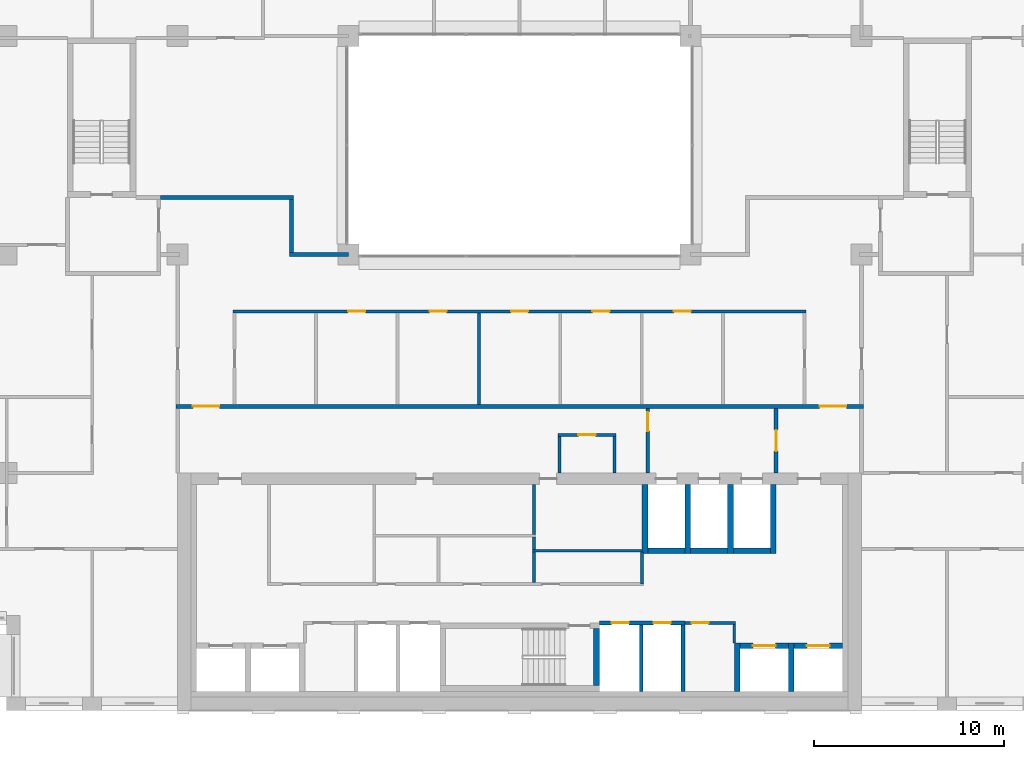
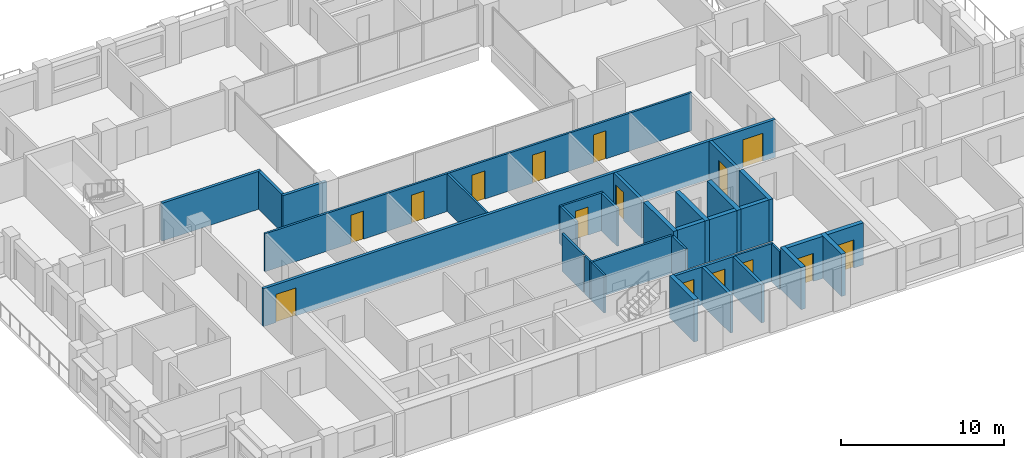
# One storey, part 10 of 15: 33 walls, 15 doors, 15 openings.
"""IFC4 building model written with IfcOpenShell, lengths in metres."""

from ifc_helpers import new_model, si_unit, direction, frame, frame_2d, origin, place, context, subcontext, project, spatial, rectangle, extrude, material, layer, layer_set, type_object, element, fill, save


model = new_model("IFC4")

# Units and contexts
model_context = context("Model", 3, precision=1e-05, world=origin(), true_north=direction((0.0, 1.0)))
body_context = subcontext(model_context, "Body", "Model", "MODEL_VIEW")
ifc_project = project(units=[si_unit("LENGTHUNIT", "METRE"), si_unit("AREAUNIT", "SQUARE_METRE"), si_unit("VOLUMEUNIT", "CUBIC_METRE"), si_unit("PLANEANGLEUNIT", "RADIAN"), si_unit("MASSUNIT", "GRAM", prefix="KILO")], contexts=[model_context])

# Site, building, storey
site_placement = place(None, origin())
site = spatial("IfcSite", under=ifc_project, at=site_placement, CompositionType="ELEMENT")
building_placement = place(site_placement, origin())
building = spatial("IfcBuilding", under=site, at=building_placement, Name="Brigalow Station Residences", CompositionType="ELEMENT")
storey_placement = place(building_placement, frame((0.0, 0.0, 172.800048828125)))
storey = spatial("IfcBuildingStorey", under=building, at=storey_placement, Name="L50", CompositionType="ELEMENT", Elevation=172.800048828125)

# Walls
ifc_material_1 = material(Name="Concrete C65", Category="concrete")
ifc_layer_1 = layer(ifc_material_1, 0.300048828125)
ifc_layer_set_1 = layer_set([ifc_layer_1], Name="CORE SHEAR WALL 300 C65")
wall_type_1 = type_object("IfcWallType", Name="CORE SHEAR WALL 300 C65", PredefinedType="SHEAR", material=ifc_layer_set_1)
wall_1_placement = place(storey_placement, frame((42.75, 8.39990234375, 0.0), z_axis=(0.0, 0.0, 1.0), x_axis=(1.0, 0.0, 0.0)))
element("IfcWall", 1, at=wall_1_placement, inside=storey, type_object=wall_type_1, Name="CORE WALL SH-FF1-S L50", PredefinedType="SHEAR", context=body_context, shape_type="SweptSolid", body=[
    extrude(rectangle(XDim=1.949951171875, YDim=0.300048828125, at=frame_2d((0.97509765625, 0.0))), origin(), (0.0, 0.0, 1.0), 3.14990234375),
])
wall_2_placement = place(storey_placement, frame((42.60009765625, 8.25, 0.0), z_axis=(0.0, 0.0, 1.0), x_axis=(0.0, 1.0, 0.0)))
element("IfcWall", 2, at=wall_2_placement, inside=storey, type_object=wall_type_1, Name="CORE WALL SH-FF1-W L50", PredefinedType="SHEAR", context=body_context, shape_type="SweptSolid", body=[
    extrude(rectangle(XDim=3.64990234375, YDim=0.300048828125, at=frame_2d((1.824951171875, 0.0))), origin(), (0.0, 0.0, 1.0), 3.14990234375),
])
wall_3_placement = place(storey_placement, frame((45.0, 8.39990234375, 0.0), z_axis=(0.0, 0.0, 1.0), x_axis=(1.0, 0.0, 0.0)))
element("IfcWall", 3, at=wall_3_placement, inside=storey, type_object=wall_type_1, Name="CORE WALL SH-FF2-S L50", PredefinedType="SHEAR", context=body_context, shape_type="SweptSolid", body=[
    extrude(rectangle(XDim=1.949951171875, YDim=0.300048828125, at=frame_2d((0.97509765625, 0.0))), origin(), (0.0, 0.0, 1.0), 3.14990234375),
])
wall_4_placement = place(storey_placement, frame((44.85009765625, 8.25, 0.0), z_axis=(0.0, 0.0, 1.0), x_axis=(0.0, 1.0, 0.0)))
element("IfcWall", 4, at=wall_4_placement, inside=storey, type_object=wall_type_1, Name="CORE WALL SH-FF2-W L50", PredefinedType="SHEAR", context=body_context, shape_type="SweptSolid", body=[
    extrude(rectangle(XDim=3.64990234375, YDim=0.300048828125, at=frame_2d((1.824951171875, 0.0))), origin(), (0.0, 0.0, 1.0), 3.14990234375),
])
wall_5_placement = place(storey_placement, frame((47.25, 8.39990234375, 0.0), z_axis=(0.0, 0.0, 1.0), x_axis=(1.0, 0.0, 0.0)))
element("IfcWall", 5, at=wall_5_placement, inside=storey, type_object=wall_type_1, Name="CORE WALL SH-SL1-S L50", PredefinedType="SHEAR", context=body_context, shape_type="SweptSolid", body=[
    extrude(rectangle(XDim=1.949951171875, YDim=0.300048828125, at=frame_2d((0.97509765625, 0.0))), origin(), (0.0, 0.0, 1.0), 3.14990234375),
])
for number, where, z_axis, x_axis, name in (
    (6, (47.10009765625, 8.25, 0.0), (0.0, 0.0, 1.0), (0.0, 1.0, 0.0), "CORE WALL SH-SL1-W L50"),
    (7, (49.35009765625, 8.25, 0.0), (0.0, 0.0, 1.0), (0.0, 1.0, 0.0), "CORE WALL SH-SL1-E L50"),
):
    element("IfcWall", number, at=place(storey_placement, frame(where, z_axis=z_axis, x_axis=x_axis)), inside=storey, type_object=wall_type_1, Name=name, PredefinedType="SHEAR", context=body_context, shape_type="SweptSolid", body=[
        extrude(rectangle(XDim=3.64990234375, YDim=0.300048828125, at=frame_2d((1.824951171875, 0.0))), origin(), (0.0, 0.0, 1.0), 3.14990234375),
    ])

# Wall, opening, door
wall_6_placement = place(storey_placement, frame((47.60009765625, 3.39990234375, 0.0), z_axis=(0.0, 0.0, 1.0), x_axis=(1.0, 0.0, 0.0)))
wall_6 = element("IfcWall", 8, at=wall_6_placement, inside=storey, type_object=wall_type_1, Name="CORE WALL SH-C3-N L50", PredefinedType="SHEAR", context=body_context, shape_type="SweptSolid", body=[
    extrude(rectangle(XDim=2.5498046875, YDim=0.300048828125, at=frame_2d((1.27490234375, 0.0))), origin(), (0.0, 0.0, 1.0), 3.14990234375),
])
opening_1_placement = place(wall_6_placement, frame((0.675048828125, 0.0, 0.0)))
opening_1 = element("IfcOpeningElement", 9, at=opening_1_placement, cuts=wall_6, Name="Opening LD-LB3", PredefinedType="OPENING", context=body_context, shape_type="SweptSolid", body=[
    extrude(rectangle(XDim=1.199951171875, YDim=2.10009765625, at=frame_2d((0.60009765625, 1.050048828125))), frame((0.0, 0.16015625, 0.0), z_axis=(0.0, -1.0, 0.0), x_axis=(1.0, 0.0, 0.0)), (0.0, 0.0, 1.0), 0.320068359375),
])
ifc_material_2 = material(Name="Stainless steel sliding door leaves", Category="steel")
door_type_1 = type_object("IfcDoorType", Name="LIFT LANDING DOOR 1200 x 2100", OperationType="DOUBLE_DOOR_SLIDING", PredefinedType="DOOR", material=ifc_material_2)
door_1_placement = place(opening_1_placement, origin())
door_1 = element("IfcDoor", 10, at=door_1_placement, inside=storey, type_object=door_type_1, Name="LANDING DOOR LB3", OperationType="DOUBLE_DOOR_SLIDING", OverallHeight=2.10009765625, OverallWidth=1.199951171875, PredefinedType="DOOR", context=body_context, shape_type="SweptSolid", body=[
    extrude(rectangle(XDim=1.199951171875, YDim=2.10009765625, at=frame_2d((0.60009765625, 1.050048828125))), frame((0.0, 0.02490234375, 0.0), z_axis=(0.0, -1.0, 0.0), x_axis=(1.0, 0.0, 0.0)), (0.0, 0.0, 1.0), 0.050048828125),
])
fill(opening_1, door_1)

# Wall
wall_7_placement = place(storey_placement, frame((47.449951171875, 1.0, 0.0), z_axis=(0.0, 0.0, 1.0), x_axis=(0.0, 1.0, 0.0)))
element("IfcWall", 11, at=wall_7_placement, inside=storey, type_object=wall_type_1, Name="CORE WALL SH-C3-W L50", PredefinedType="SHEAR", context=body_context, shape_type="SweptSolid", body=[
    extrude(rectangle(XDim=2.550048828125, YDim=0.300048828125, at=frame_2d((1.27490234375, 0.0))), origin(), (0.0, 0.0, 1.0), 3.14990234375),
])

# Wall, opening, door
wall_8_placement = place(storey_placement, frame((50.449951171875, 3.39990234375, 0.0), z_axis=(0.0, 0.0, 1.0), x_axis=(1.0, 0.0, 0.0)))
wall_8 = element("IfcWall", 12, at=wall_8_placement, inside=storey, type_object=wall_type_1, Name="CORE WALL SH-C4-N L50", PredefinedType="SHEAR", context=body_context, shape_type="SweptSolid", body=[
    extrude(rectangle(XDim=2.550048828125, YDim=0.300048828125, at=frame_2d((1.27490234375, 0.0))), origin(), (0.0, 0.0, 1.0), 3.14990234375),
])
opening_2_placement = place(wall_8_placement, frame((0.675048828125, 0.0, 0.0)))
opening_2 = element("IfcOpeningElement", 13, at=opening_2_placement, cuts=wall_8, Name="Opening LD-LB4", PredefinedType="OPENING", context=body_context, shape_type="SweptSolid", body=[
    extrude(rectangle(XDim=1.199951171875, YDim=2.10009765625, at=frame_2d((0.60009765625, 1.050048828125))), frame((0.0, 0.16015625, 0.0), z_axis=(0.0, -1.0, 0.0), x_axis=(1.0, 0.0, 0.0)), (0.0, 0.0, 1.0), 0.320068359375),
])
door_2_placement = place(opening_2_placement, origin())
door_2 = element("IfcDoor", 14, at=door_2_placement, inside=storey, type_object=door_type_1, Name="LANDING DOOR LB4", OperationType="DOUBLE_DOOR_SLIDING", OverallHeight=2.10009765625, OverallWidth=1.199951171875, PredefinedType="DOOR", context=body_context, shape_type="SweptSolid", body=[
    extrude(rectangle(XDim=1.199951171875, YDim=2.10009765625, at=frame_2d((0.60009765625, 1.050048828125))), frame((0.0, 0.02490234375, 0.0), z_axis=(0.0, -1.0, 0.0), x_axis=(1.0, 0.0, 0.0)), (0.0, 0.0, 1.0), 0.050048828125),
])
fill(opening_2, door_2)

# Walls
wall_9_placement = place(storey_placement, frame((50.300048828125, 1.0, 0.0), z_axis=(0.0, 0.0, 1.0), x_axis=(0.0, 1.0, 0.0)))
element("IfcWall", 15, at=wall_9_placement, inside=storey, type_object=wall_type_1, Name="CORE WALL SH-C4-W L50", PredefinedType="SHEAR", context=body_context, shape_type="SweptSolid", body=[
    extrude(rectangle(XDim=2.550048828125, YDim=0.300048828125, at=frame_2d((1.27490234375, 0.0))), origin(), (0.0, 0.0, 1.0), 3.14990234375),
])
wall_10_placement = place(storey_placement, frame((40.050048828125, 1.300048828125, 0.0), z_axis=(0.0, 0.0, 1.0), x_axis=(0.0, 1.0, 0.0)))
element("IfcWall", 16, at=wall_10_placement, inside=storey, type_object=wall_type_1, Name="CORE WALL ST-S2-E L50", PredefinedType="SHEAR", context=body_context, shape_type="SweptSolid", body=[
    extrude(rectangle(XDim=3.0, YDim=0.300048828125, at=frame_2d((1.5, 0.0))), origin(), (0.0, 0.0, 1.0), 3.14990234375),
])

# Wall, openings, doors
ifc_material_3 = material(Name="Concrete blockwork", Category="masonry")
ifc_layer_2 = layer(ifc_material_3, 0.199951171875)
ifc_layer_set_2 = layer_set([ifc_layer_2], Name="FIRE RATED CORE PARTITION 200")
wall_type_2 = type_object("IfcWallType", Name="FIRE RATED CORE PARTITION 200", PredefinedType="PARTITIONING", material=ifc_layer_set_2)
wall_11_placement = place(storey_placement, frame((40.199951171875, 4.60009765625, 0.0), z_axis=(0.0, 0.0, 1.0), x_axis=(1.0, 0.0, 0.0)))
wall_11 = element("IfcWall", 17, at=wall_11_placement, inside=storey, type_object=wall_type_2, Name="PW-5018", PredefinedType="PARTITIONING", context=body_context, shape_type="SweptSolid", body=[
    extrude(rectangle(XDim=4.5, YDim=0.199951171875, at=frame_2d((2.25, 0.0))), origin(), (0.0, 0.0, 1.0), 2.829833984375),
])
opening_3_placement = place(wall_11_placement, frame((0.64990234375, 0.0, 0.0)))
opening_3 = element("IfcOpeningElement", 18, at=opening_3_placement, cuts=wall_11, Name="Opening D-5009", PredefinedType="OPENING", context=body_context, shape_type="SweptSolid", body=[
    extrude(rectangle(XDim=0.89990234375, YDim=2.10009765625, at=frame_2d((0.449951171875, 1.050048828125))), frame((0.0, 0.10986328125, 0.0), z_axis=(0.0, -1.0, 0.0), x_axis=(1.0, 0.0, 0.0)), (0.0, 0.0, 1.0), 0.219970703125),
])
opening_4_placement = place(wall_11_placement, frame((2.85009765625, 0.0, 0.0)))
opening_4 = element("IfcOpeningElement", 19, at=opening_4_placement, cuts=wall_11, Name="Opening D-5010", PredefinedType="OPENING", context=body_context, shape_type="SweptSolid", body=[
    extrude(rectangle(XDim=0.89990234375, YDim=2.10009765625, at=frame_2d((0.449951171875, 1.050048828125))), frame((0.0, 0.10986328125, 0.0), z_axis=(0.0, -1.0, 0.0), x_axis=(1.0, 0.0, 0.0)), (0.0, 0.0, 1.0), 0.219970703125),
])
ifc_material_4 = material(Name="Steel fire door leaf in steel frame", Category="steel")
door_type_2 = type_object("IfcDoorType", Name="RISER ACCESS DOOR 900 x 2100 FD120", OperationType="SINGLE_SWING_LEFT", PredefinedType="DOOR", material=ifc_material_4)
door_3_placement = place(opening_3_placement, frame((0.89990234375, 0.0, 0.0), z_axis=(0.0, 0.0, 1.0), x_axis=(-1.0, 0.0, 0.0)))
door_3 = element("IfcDoor", 20, at=door_3_placement, inside=storey, type_object=door_type_2, Name="D-5009", OperationType="SINGLE_SWING_LEFT", OverallHeight=2.10009765625, OverallWidth=0.89990234375, PredefinedType="DOOR", context=body_context, shape_type="SweptSolid", body=[
    extrude(rectangle(XDim=0.89990234375, YDim=2.10009765625, at=frame_2d((0.449951171875, 1.050048828125))), frame((0.0, 0.02490234375, 0.0), z_axis=(0.0, -1.0, 0.0), x_axis=(1.0, 0.0, 0.0)), (0.0, 0.0, 1.0), 0.050048828125),
])
fill(opening_3, door_3)
door_4_placement = place(opening_4_placement, frame((0.89990234375, 0.0, 0.0), z_axis=(0.0, 0.0, 1.0), x_axis=(-1.0, 0.0, 0.0)))
door_4 = element("IfcDoor", 21, at=door_4_placement, inside=storey, type_object=door_type_2, Name="D-5010", OperationType="SINGLE_SWING_LEFT", OverallHeight=2.10009765625, OverallWidth=0.89990234375, PredefinedType="DOOR", context=body_context, shape_type="SweptSolid", body=[
    extrude(rectangle(XDim=0.89990234375, YDim=2.10009765625, at=frame_2d((0.449951171875, 1.050048828125))), frame((0.0, 0.02490234375, 0.0), z_axis=(0.0, -1.0, 0.0), x_axis=(1.0, 0.0, 0.0)), (0.0, 0.0, 1.0), 0.050048828125),
])
fill(opening_4, door_4)

# Walls
for number, where, z_axis, x_axis, name in (
    (22, (42.39990234375, 1.0, 0.0), (0.0, 0.0, 1.0), (0.0, 1.0, 0.0), "PW-5007"),
    (23, (44.60009765625, 1.0, 0.0), (0.0, 0.0, 1.0), (0.0, 1.0, 0.0), "PW-5008"),
):
    element("IfcWall", number, at=place(storey_placement, frame(where, z_axis=z_axis, x_axis=x_axis)), inside=storey, type_object=wall_type_2, Name=name, PredefinedType="PARTITIONING", context=body_context, shape_type="SweptSolid", body=[
        extrude(rectangle(XDim=3.5, YDim=0.199951171875, at=frame_2d((1.75, 0.0))), origin(), (0.0, 0.0, 1.0), 2.829833984375),
    ])

# Wall, opening, door
wall_12_placement = place(storey_placement, frame((42.75, 12.5, 0.0), z_axis=(0.0, 0.0, 1.0), x_axis=(0.0, 1.0, 0.0)))
wall_12 = element("IfcWall", 24, at=wall_12_placement, inside=storey, type_object=wall_type_2, Name="PW-5014", PredefinedType="PARTITIONING", context=body_context, shape_type="SweptSolid", body=[
    extrude(rectangle(XDim=3.39990234375, YDim=0.199951171875, at=frame_2d((1.699951171875, 0.0))), origin(), (0.0, 0.0, 1.0), 2.829833984375),
])
opening_5_placement = place(wall_12_placement, frame((2.199951171875, 0.0, 0.0)))
opening_5 = element("IfcOpeningElement", 25, at=opening_5_placement, cuts=wall_12, Name="Opening D-5013", PredefinedType="OPENING", context=body_context, shape_type="SweptSolid", body=[
    extrude(rectangle(XDim=1.0, YDim=2.10009765625, at=frame_2d((0.5, 1.050048828125))), frame((0.0, 0.10986328125, 0.0), z_axis=(0.0, -1.0, 0.0), x_axis=(1.0, 0.0, 0.0)), (0.0, 0.0, 1.0), 0.219970703125),
])
ifc_material_5 = material(Name="Steel fire door leaf in steel frame", Category="steel")
door_type_3 = type_object("IfcDoorType", Name="LOBBY DOOR 1000 x 2100 FD60S", OperationType="SINGLE_SWING_LEFT", PredefinedType="DOOR", material=ifc_material_5)
door_5_placement = place(opening_5_placement, origin())
door_5 = element("IfcDoor", 26, at=door_5_placement, inside=storey, type_object=door_type_3, Name="D-5013", OperationType="SINGLE_SWING_RIGHT", OverallHeight=2.10009765625, OverallWidth=1.0, PredefinedType="DOOR", context=body_context, shape_type="SweptSolid", body=[
    extrude(rectangle(XDim=1.0, YDim=2.10009765625, at=frame_2d((0.5, 1.050048828125))), frame((0.0, 0.02490234375, 0.0), z_axis=(0.0, -1.0, 0.0), x_axis=(1.0, 0.0, 0.0)), (0.0, 0.0, 1.0), 0.050048828125),
])
fill(opening_5, door_5)

wall_13_placement = place(storey_placement, frame((49.5, 12.5, 0.0), z_axis=(0.0, 0.0, 1.0), x_axis=(0.0, 1.0, 0.0)))
wall_13 = element("IfcWall", 27, at=wall_13_placement, inside=storey, type_object=wall_type_2, Name="PW-5015", PredefinedType="PARTITIONING", context=body_context, shape_type="SweptSolid", body=[
    extrude(rectangle(XDim=3.39990234375, YDim=0.199951171875, at=frame_2d((1.699951171875, 0.0))), origin(), (0.0, 0.0, 1.0), 2.829833984375),
])
opening_6_placement = place(wall_13_placement, frame((1.14990234375, 0.0, 0.0)))
opening_6 = element("IfcOpeningElement", 28, at=opening_6_placement, cuts=wall_13, Name="Opening D-5014", PredefinedType="OPENING", context=body_context, shape_type="SweptSolid", body=[
    extrude(rectangle(XDim=1.10009765625, YDim=2.10009765625, at=frame_2d((0.550048828125, 1.050048828125))), frame((0.0, 0.10986328125, 0.0), z_axis=(0.0, -1.0, 0.0), x_axis=(1.0, 0.0, 0.0)), (0.0, 0.0, 1.0), 0.219970703125),
])
ifc_material_6 = material(Name="Steel fire door leaf in steel frame", Category="steel")
door_type_4 = type_object("IfcDoorType", Name="LOBBY DOOR 1100 x 2100 FD60S", OperationType="SINGLE_SWING_LEFT", PredefinedType="DOOR", material=ifc_material_6)
door_6_placement = place(opening_6_placement, origin())
door_6 = element("IfcDoor", 29, at=door_6_placement, inside=storey, type_object=door_type_4, Name="D-5014", OperationType="SINGLE_SWING_LEFT", OverallHeight=2.10009765625, OverallWidth=1.10009765625, PredefinedType="DOOR", context=body_context, shape_type="SweptSolid", body=[
    extrude(rectangle(XDim=1.10009765625, YDim=2.10009765625, at=frame_2d((0.550048828125, 1.050048828125))), frame((0.0, 0.02490234375, 0.0), z_axis=(0.0, -1.0, 0.0), x_axis=(1.0, 0.0, 0.0)), (0.0, 0.0, 1.0), 0.050048828125),
])
fill(opening_6, door_6)

# Wall, openings, doors
ifc_material_7 = material(Name="Plasterboard on steel stud partition", Category="steel")
ifc_layer_3 = layer(ifc_material_7, 0.14990234375)
ifc_layer_set_3 = layer_set([ifc_layer_3], Name="FLAT PARTITION 150")
wall_type_3 = type_object("IfcWallType", Name="FLAT PARTITION 150", PredefinedType="PARTITIONING", material=ifc_layer_set_3)
wall_14_placement = place(storey_placement, frame((20.925048828125, 21.0, 0.0), z_axis=(0.0, 0.0, 1.0), x_axis=(1.0, 0.0, 0.0)))
wall_14 = element("IfcWall", 30, at=wall_14_placement, inside=storey, type_object=wall_type_3, Name="PW-3E06", PredefinedType="PARTITIONING", context=body_context, shape_type="SweptSolid", body=[
    extrude(rectangle(XDim=30.14990234375, YDim=0.14990234375, at=frame_2d((15.074951171875, 0.0))), origin(), (0.0, 0.0, 1.0), 2.829833984375),
])
opening_7_placement = place(wall_14_placement, frame((6.052978515625, 0.0, 0.0)))
opening_7 = element("IfcOpeningElement", 31, at=opening_7_placement, cuts=wall_14, Name="Opening D-3E36", PredefinedType="OPENING", context=body_context, shape_type="SweptSolid", body=[
    extrude(rectangle(XDim=0.89990234375, YDim=2.10009765625, at=frame_2d((0.449951171875, 1.050048828125))), frame((0.0, 0.0849609375, 0.0), z_axis=(0.0, -1.0, 0.0), x_axis=(1.0, 0.0, 0.0)), (0.0, 0.0, 1.0), 0.169921875),
])
opening_8_placement = place(wall_14_placement, frame((10.339111328125, 0.0, 0.0)))
opening_8 = element("IfcOpeningElement", 32, at=opening_8_placement, cuts=wall_14, Name="Opening D-3E37", PredefinedType="OPENING", context=body_context, shape_type="SweptSolid", body=[
    extrude(rectangle(XDim=0.89990234375, YDim=2.10009765625, at=frame_2d((0.449951171875, 1.050048828125))), frame((0.0, 0.0849609375, 0.0), z_axis=(0.0, -1.0, 0.0), x_axis=(1.0, 0.0, 0.0)), (0.0, 0.0, 1.0), 0.169921875),
])
opening_9_placement = place(wall_14_placement, frame((14.625, 0.0, 0.0)))
opening_9 = element("IfcOpeningElement", 33, at=opening_9_placement, cuts=wall_14, Name="Opening D-3E38", PredefinedType="OPENING", context=body_context, shape_type="SweptSolid", body=[
    extrude(rectangle(XDim=0.89990234375, YDim=2.10009765625, at=frame_2d((0.449951171875, 1.050048828125))), frame((0.0, 0.0849609375, 0.0), z_axis=(0.0, -1.0, 0.0), x_axis=(1.0, 0.0, 0.0)), (0.0, 0.0, 1.0), 0.169921875),
])
opening_10_placement = place(wall_14_placement, frame((18.910888671875, 0.0, 0.0)))
opening_10 = element("IfcOpeningElement", 34, at=opening_10_placement, cuts=wall_14, Name="Opening D-3E39", PredefinedType="OPENING", context=body_context, shape_type="SweptSolid", body=[
    extrude(rectangle(XDim=0.89990234375, YDim=2.10009765625, at=frame_2d((0.449951171875, 1.050048828125))), frame((0.0, 0.0849609375, 0.0), z_axis=(0.0, -1.0, 0.0), x_axis=(1.0, 0.0, 0.0)), (0.0, 0.0, 1.0), 0.169921875),
])
opening_11_placement = place(wall_14_placement, frame((23.197021484375, 0.0, 0.0)))
opening_11 = element("IfcOpeningElement", 35, at=opening_11_placement, cuts=wall_14, Name="Opening D-3E40", PredefinedType="OPENING", context=body_context, shape_type="SweptSolid", body=[
    extrude(rectangle(XDim=0.89990234375, YDim=2.10009765625, at=frame_2d((0.449951171875, 1.050048828125))), frame((0.0, 0.0849609375, 0.0), z_axis=(0.0, -1.0, 0.0), x_axis=(1.0, 0.0, 0.0)), (0.0, 0.0, 1.0), 0.169921875),
])
ifc_material_8 = material(Name="Solid-core timber door leaf", Category="wood")
door_type_5 = type_object("IfcDoorType", Name="INTERNAL DOOR 900 x 2100", OperationType="SINGLE_SWING_LEFT", PredefinedType="DOOR", material=ifc_material_8)
door_7_placement = place(opening_7_placement, frame((0.89990234375, 0.0, 0.0), z_axis=(0.0, 0.0, 1.0), x_axis=(-1.0, 0.0, 0.0)))
door_7 = element("IfcDoor", 36, at=door_7_placement, inside=storey, type_object=door_type_5, Name="D-3E36", OperationType="SINGLE_SWING_RIGHT", OverallHeight=2.10009765625, OverallWidth=0.89990234375, PredefinedType="DOOR", context=body_context, shape_type="SweptSolid", body=[
    extrude(rectangle(XDim=0.89990234375, YDim=2.10009765625, at=frame_2d((0.449951171875, 1.050048828125))), frame((0.0, 0.02490234375, 0.0), z_axis=(0.0, -1.0, 0.0), x_axis=(1.0, 0.0, 0.0)), (0.0, 0.0, 1.0), 0.050048828125),
])
fill(opening_7, door_7)
door_8_placement = place(opening_8_placement, frame((0.89990234375, 0.0, 0.0), z_axis=(0.0, 0.0, 1.0), x_axis=(-1.0, 0.0, 0.0)))
door_8 = element("IfcDoor", 37, at=door_8_placement, inside=storey, type_object=door_type_5, Name="D-3E37", OperationType="SINGLE_SWING_RIGHT", OverallHeight=2.10009765625, OverallWidth=0.89990234375, PredefinedType="DOOR", context=body_context, shape_type="SweptSolid", body=[
    extrude(rectangle(XDim=0.89990234375, YDim=2.10009765625, at=frame_2d((0.449951171875, 1.050048828125))), frame((0.0, 0.02490234375, 0.0), z_axis=(0.0, -1.0, 0.0), x_axis=(1.0, 0.0, 0.0)), (0.0, 0.0, 1.0), 0.050048828125),
])
fill(opening_8, door_8)
door_9_placement = place(opening_9_placement, frame((0.89990234375, 0.0, 0.0), z_axis=(0.0, 0.0, 1.0), x_axis=(-1.0, 0.0, 0.0)))
door_9 = element("IfcDoor", 38, at=door_9_placement, inside=storey, type_object=door_type_5, Name="D-3E38", OperationType="SINGLE_SWING_LEFT", OverallHeight=2.10009765625, OverallWidth=0.89990234375, PredefinedType="DOOR", context=body_context, shape_type="SweptSolid", body=[
    extrude(rectangle(XDim=0.89990234375, YDim=2.10009765625, at=frame_2d((0.449951171875, 1.050048828125))), frame((0.0, 0.02490234375, 0.0), z_axis=(0.0, -1.0, 0.0), x_axis=(1.0, 0.0, 0.0)), (0.0, 0.0, 1.0), 0.050048828125),
])
fill(opening_9, door_9)
door_10_placement = place(opening_10_placement, frame((0.89990234375, 0.0, 0.0), z_axis=(0.0, 0.0, 1.0), x_axis=(-1.0, 0.0, 0.0)))
door_10 = element("IfcDoor", 39, at=door_10_placement, inside=storey, type_object=door_type_5, Name="D-3E39", OperationType="SINGLE_SWING_LEFT", OverallHeight=2.10009765625, OverallWidth=0.89990234375, PredefinedType="DOOR", context=body_context, shape_type="SweptSolid", body=[
    extrude(rectangle(XDim=0.89990234375, YDim=2.10009765625, at=frame_2d((0.449951171875, 1.050048828125))), frame((0.0, 0.02490234375, 0.0), z_axis=(0.0, -1.0, 0.0), x_axis=(1.0, 0.0, 0.0)), (0.0, 0.0, 1.0), 0.050048828125),
])
fill(opening_10, door_10)
door_11_placement = place(opening_11_placement, frame((0.89990234375, 0.0, 0.0), z_axis=(0.0, 0.0, 1.0), x_axis=(-1.0, 0.0, 0.0)))
door_11 = element("IfcDoor", 40, at=door_11_placement, inside=storey, type_object=door_type_5, Name="D-3E40", OperationType="SINGLE_SWING_LEFT", OverallHeight=2.10009765625, OverallWidth=0.89990234375, PredefinedType="DOOR", context=body_context, shape_type="SweptSolid", body=[
    extrude(rectangle(XDim=0.89990234375, YDim=2.10009765625, at=frame_2d((0.449951171875, 1.050048828125))), frame((0.0, 0.02490234375, 0.0), z_axis=(0.0, -1.0, 0.0), x_axis=(1.0, 0.0, 0.0)), (0.0, 0.0, 1.0), 0.050048828125),
])
fill(opening_11, door_11)

# Walls
wall_15_placement = place(storey_placement, frame((33.85693359375, 16.10009765625, 0.0), z_axis=(0.0, 0.0, 1.0), x_axis=(0.0, 1.0, 0.0)))
element("IfcWall", 41, at=wall_15_placement, inside=storey, type_object=wall_type_3, Name="PW-3E53", PredefinedType="PARTITIONING", context=body_context, shape_type="SweptSolid", body=[
    extrude(rectangle(XDim=4.824951171875, YDim=0.14990234375, at=frame_2d((2.41259765625, 0.0))), origin(), (0.0, 0.0, 1.0), 2.829833984375),
])
ifc_material_9 = material(Name="Plasterboard on steel stud partition", Category="steel")
ifc_layer_4 = layer(ifc_material_9, 0.199951171875)
ifc_layer_set_4 = layer_set([ifc_layer_4], Name="PARTY AND CORRIDOR WALL 200")
wall_type_4 = type_object("IfcWallType", Name="PARTY AND CORRIDOR WALL 200", PredefinedType="PARTITIONING", material=ifc_layer_set_4)
wall_16_placement = place(storey_placement, frame((23.89990234375, 24.0, 0.0), z_axis=(0.0, 0.0, 1.0), x_axis=(1.0, 0.0, 0.0)))
element("IfcWall", 42, at=wall_16_placement, inside=storey, type_object=wall_type_4, Name="PW-3E03", PredefinedType="PARTITIONING", context=body_context, shape_type="SweptSolid", body=[
    extrude(rectangle(XDim=3.10009765625, YDim=0.199951171875, at=frame_2d((1.550048828125, 0.0))), origin(), (0.0, 0.0, 1.0), 2.829833984375),
])
wall_17_placement = place(storey_placement, frame((17.10009765625, 27.0, 0.0), z_axis=(0.0, 0.0, 1.0), x_axis=(1.0, 0.0, 0.0)))
element("IfcWall", 43, at=wall_17_placement, inside=storey, type_object=wall_type_4, Name="PW-3E07", PredefinedType="PARTITIONING", context=body_context, shape_type="SweptSolid", body=[
    extrude(rectangle(XDim=7.0, YDim=0.199951171875, at=frame_2d((3.5, 0.0))), origin(), (0.0, 0.0, 1.0), 2.829833984375),
])

# Wall, openings, doors
wall_18_placement = place(storey_placement, frame((17.89990234375, 16.0, 0.0), z_axis=(0.0, 0.0, 1.0), x_axis=(1.0, 0.0, 0.0)))
wall_18 = element("IfcWall", 44, at=wall_18_placement, inside=storey, type_object=wall_type_4, Name="PW-3E27", PredefinedType="PARTITIONING", context=body_context, shape_type="SweptSolid", body=[
    extrude(rectangle(XDim=36.2001953125, YDim=0.199951171875, at=frame_2d((18.10009765625, 0.0))), origin(), (0.0, 0.0, 1.0), 2.829833984375),
])
opening_12_placement = place(wall_18_placement, frame((0.89990234375, 0.0, 0.0)))
opening_12 = element("IfcOpeningElement", 45, at=opening_12_placement, cuts=wall_18, Name="Opening D-3E01", PredefinedType="OPENING", context=body_context, shape_type="SweptSolid", body=[
    extrude(rectangle(XDim=1.39990234375, YDim=2.10009765625, at=frame_2d((0.699951171875, 1.050048828125))), frame((0.0, 0.10986328125, 0.0), z_axis=(0.0, -1.0, 0.0), x_axis=(1.0, 0.0, 0.0)), (0.0, 0.0, 1.0), 0.219970703125),
])
opening_13_placement = place(wall_18_placement, frame((33.89990234375, 0.0, 0.0)))
opening_13 = element("IfcOpeningElement", 46, at=opening_13_placement, cuts=wall_18, Name="Opening D-3E02", PredefinedType="OPENING", context=body_context, shape_type="SweptSolid", body=[
    extrude(rectangle(XDim=1.39990234375, YDim=2.10009765625, at=frame_2d((0.699951171875, 1.050048828125))), frame((0.0, 0.10986328125, 0.0), z_axis=(0.0, -1.0, 0.0), x_axis=(1.0, 0.0, 0.0)), (0.0, 0.0, 1.0), 0.219970703125),
])
ifc_material_10 = material(Name="Solid-core timber door leaf", Category="wood")
door_type_6 = type_object("IfcDoorType", Name="CORRIDOR FIRE DOOR 1400 x 2100 FRL -/60/30", OperationType="DOUBLE_DOOR_SINGLE_SWING", PredefinedType="DOOR", material=ifc_material_10)
door_12_placement = place(opening_12_placement, frame((1.39990234375, 0.0, 0.0), z_axis=(0.0, 0.0, 1.0), x_axis=(-1.0, 0.0, 0.0)))
door_12 = element("IfcDoor", 47, at=door_12_placement, inside=storey, type_object=door_type_6, Name="D-3E01", OperationType="DOUBLE_DOOR_SINGLE_SWING", OverallHeight=2.10009765625, OverallWidth=1.39990234375, PredefinedType="DOOR", context=body_context, shape_type="SweptSolid", body=[
    extrude(rectangle(XDim=1.39990234375, YDim=2.10009765625, at=frame_2d((0.699951171875, 1.050048828125))), frame((0.0, 0.02490234375, 0.0), z_axis=(0.0, -1.0, 0.0), x_axis=(1.0, 0.0, 0.0)), (0.0, 0.0, 1.0), 0.050048828125),
])
fill(opening_12, door_12)
door_13_placement = place(opening_13_placement, frame((1.39990234375, 0.0, 0.0), z_axis=(0.0, 0.0, 1.0), x_axis=(-1.0, 0.0, 0.0)))
door_13 = element("IfcDoor", 48, at=door_13_placement, inside=storey, type_object=door_type_6, Name="D-3E02", OperationType="DOUBLE_DOOR_SINGLE_SWING", OverallHeight=2.10009765625, OverallWidth=1.39990234375, PredefinedType="DOOR", context=body_context, shape_type="SweptSolid", body=[
    extrude(rectangle(XDim=1.39990234375, YDim=2.10009765625, at=frame_2d((0.699951171875, 1.050048828125))), frame((0.0, 0.02490234375, 0.0), z_axis=(0.0, -1.0, 0.0), x_axis=(1.0, 0.0, 0.0)), (0.0, 0.0, 1.0), 0.050048828125),
])
fill(opening_13, door_13)

# Wall
wall_19_placement = place(storey_placement, frame((24.0, 24.10009765625, 0.0), z_axis=(0.0, 0.0, 1.0), x_axis=(0.0, 1.0, 0.0)))
element("IfcWall", 49, at=wall_19_placement, inside=storey, type_object=wall_type_4, Name="PW-3E33", PredefinedType="PARTITIONING", context=body_context, shape_type="SweptSolid", body=[
    extrude(rectangle(XDim=2.7998046875, YDim=0.199951171875, at=frame_2d((1.39990234375, 0.0))), origin(), (0.0, 0.0, 1.0), 2.829833984375),
])

# Wall, opening, door
ifc_material_11 = material(Name="Plasterboard on steel studs", Category="steel")
ifc_layer_5 = layer(ifc_material_11, 0.14990234375)
ifc_layer_set_5 = layer_set([ifc_layer_5], Name="SERVICE ROOM PARTITION 150")
wall_type_5 = type_object("IfcWallType", Name="SERVICE ROOM PARTITION 150", PredefinedType="PARTITIONING", material=ifc_layer_set_5)
wall_20_placement = place(storey_placement, frame((44.699951171875, 4.60009765625, 0.0), z_axis=(0.0, 0.0, 1.0), x_axis=(1.0, 0.0, 0.0)))
wall_20 = element("IfcWall", 50, at=wall_20_placement, inside=storey, type_object=wall_type_5, Name="PW-5156", PredefinedType="PARTITIONING", context=body_context, shape_type="SweptSolid", body=[
    extrude(rectangle(XDim=2.675048828125, YDim=0.14990234375, at=frame_2d((1.33740234375, 0.0))), origin(), (0.0, 0.0, 1.0), 2.829833984375),
])
opening_14_placement = place(wall_20_placement, frame((0.35009765625, 0.0, 0.0)))
opening_14 = element("IfcOpeningElement", 51, at=opening_14_placement, cuts=wall_20, Name="Opening D-5026", PredefinedType="OPENING", context=body_context, shape_type="SweptSolid", body=[
    extrude(rectangle(XDim=0.89990234375, YDim=2.10009765625, at=frame_2d((0.449951171875, 1.050048828125))), frame((0.0, 0.0849609375, 0.0), z_axis=(0.0, -1.0, 0.0), x_axis=(1.0, 0.0, 0.0)), (0.0, 0.0, 1.0), 0.169921875),
])
ifc_material_12 = material(Name="Steel door leaf in steel frame", Category="steel")
door_type_7 = type_object("IfcDoorType", Name="SERVICE ROOM DOOR 900 x 2100 FD60", OperationType="SINGLE_SWING_LEFT", PredefinedType="DOOR", material=ifc_material_12)
door_14_placement = place(opening_14_placement, frame((0.89990234375, 0.0, 0.0), z_axis=(0.0, 0.0, 1.0), x_axis=(-1.0, 0.0, 0.0)))
door_14 = element("IfcDoor", 52, at=door_14_placement, inside=storey, type_object=door_type_7, Name="D-5026", OperationType="SINGLE_SWING_RIGHT", OverallHeight=2.10009765625, OverallWidth=0.89990234375, PredefinedType="DOOR", context=body_context, shape_type="SweptSolid", body=[
    extrude(rectangle(XDim=0.89990234375, YDim=2.10009765625, at=frame_2d((0.449951171875, 1.050048828125))), frame((0.0, 0.02490234375, 0.0), z_axis=(0.0, -1.0, 0.0), x_axis=(1.0, 0.0, 0.0)), (0.0, 0.0, 1.0), 0.050048828125),
])
fill(opening_14, door_14)

# Wall
wall_21_placement = place(storey_placement, frame((36.675048828125, 8.39990234375, 0.0), z_axis=(0.0, 0.0, 1.0), x_axis=(1.0, 0.0, 0.0)))
element("IfcWall", 53, at=wall_21_placement, inside=storey, type_object=wall_type_5, Name="PW-5204", PredefinedType="PARTITIONING", context=body_context, shape_type="SweptSolid", body=[
    extrude(rectangle(XDim=5.77490234375, YDim=0.14990234375, at=frame_2d((2.887451171875, 0.0))), origin(), (0.0, 0.0, 1.0), 2.829833984375),
])

# Wall, opening, door
wall_22_placement = place(storey_placement, frame((38.02490234375, 14.5, 0.0), z_axis=(0.0, 0.0, 1.0), x_axis=(1.0, 0.0, 0.0)))
wall_22 = element("IfcWall", 54, at=wall_22_placement, inside=storey, type_object=wall_type_5, Name="PW-5138", PredefinedType="PARTITIONING", context=body_context, shape_type="SweptSolid", body=[
    extrude(rectangle(XDim=3.050048828125, YDim=0.14990234375, at=frame_2d((1.52490234375, 0.0))), origin(), (0.0, 0.0, 1.0), 2.829833984375),
])
opening_15_placement = place(wall_22_placement, frame((1.074951171875, 0.0, 0.0)))
opening_15 = element("IfcOpeningElement", 55, at=opening_15_placement, cuts=wall_22, Name="Opening D-5079", PredefinedType="OPENING", context=body_context, shape_type="SweptSolid", body=[
    extrude(rectangle(XDim=0.89990234375, YDim=2.10009765625, at=frame_2d((0.449951171875, 1.050048828125))), frame((0.0, 0.0849609375, 0.0), z_axis=(0.0, -1.0, 0.0), x_axis=(1.0, 0.0, 0.0)), (0.0, 0.0, 1.0), 0.169921875),
])
door_15_placement = place(opening_15_placement, frame((0.89990234375, 0.0, 0.0), z_axis=(0.0, 0.0, 1.0), x_axis=(-1.0, 0.0, 0.0)))
door_15 = element("IfcDoor", 56, at=door_15_placement, inside=storey, type_object=door_type_7, Name="D-5079", OperationType="SINGLE_SWING_RIGHT", OverallHeight=2.10009765625, OverallWidth=0.89990234375, PredefinedType="DOOR", context=body_context, shape_type="SweptSolid", body=[
    extrude(rectangle(XDim=0.89990234375, YDim=2.10009765625, at=frame_2d((0.449951171875, 1.050048828125))), frame((0.0, 0.02490234375, 0.0), z_axis=(0.0, -1.0, 0.0), x_axis=(1.0, 0.0, 0.0)), (0.0, 0.0, 1.0), 0.050048828125),
])
fill(opening_15, door_15)

# Walls
wall_23_placement = place(storey_placement, frame((47.300048828125, 3.550048828125, 0.0), z_axis=(0.0, 0.0, 1.0), x_axis=(0.0, 1.0, 0.0)))
element("IfcWall", 57, at=wall_23_placement, inside=storey, type_object=wall_type_5, Name="PW-5158", PredefinedType="PARTITIONING", context=body_context, shape_type="SweptSolid", body=[
    extrude(rectangle(XDim=0.974853515625, YDim=0.14990234375, at=frame_2d((0.4873046875, 0.0))), origin(), (0.0, 0.0, 1.0), 2.829833984375),
])
wall_24_placement = place(storey_placement, frame((42.449951171875, 6.64990234375, 0.0), z_axis=(0.0, 0.0, 1.0), x_axis=(0.0, 1.0, 0.0)))
element("IfcWall", 58, at=wall_24_placement, inside=storey, type_object=wall_type_5, Name="PW-5206", PredefinedType="PARTITIONING", context=body_context, shape_type="SweptSolid", body=[
    extrude(rectangle(XDim=1.675048828125, YDim=0.14990234375, at=frame_2d((0.83740234375, 0.0))), origin(), (0.0, 0.0, 1.0), 2.829833984375),
])
wall_25_placement = place(storey_placement, frame((36.75, 6.72509765625, 0.0), z_axis=(0.0, 0.0, 1.0), x_axis=(0.0, 1.0, 0.0)))
element("IfcWall", 59, at=wall_25_placement, inside=storey, type_object=wall_type_5, Name="PW-5210", PredefinedType="PARTITIONING", context=body_context, shape_type="SweptSolid", body=[
    extrude(rectangle(XDim=1.599853515625, YDim=0.14990234375, at=frame_2d((0.7998046875, 0.0))), origin(), (0.0, 0.0, 1.0), 2.829833984375),
])
wall_26_placement = place(storey_placement, frame((36.75, 8.47509765625, 0.0), z_axis=(0.0, 0.0, 1.0), x_axis=(0.0, 1.0, 0.0)))
element("IfcWall", 60, at=wall_26_placement, inside=storey, type_object=wall_type_5, Name="PW-5233", PredefinedType="PARTITIONING", context=body_context, shape_type="SweptSolid", body=[
    extrude(rectangle(XDim=0.639892578125, YDim=0.14990234375, at=frame_2d((0.31982421875, 0.0))), origin(), (0.0, 0.0, 1.0), 2.829833984375),
])
wall_27_placement = place(storey_placement, frame((36.75, 9.264892578125, 0.0), z_axis=(0.0, 0.0, 1.0), x_axis=(0.0, 1.0, 0.0)))
element("IfcWall", 61, at=wall_27_placement, inside=storey, type_object=wall_type_5, Name="PW-5235", PredefinedType="PARTITIONING", context=body_context, shape_type="SweptSolid", body=[
    extrude(rectangle(XDim=2.635009765625, YDim=0.14990234375, at=frame_2d((1.3173828125, 0.0))), origin(), (0.0, 0.0, 1.0), 2.829833984375),
])
for number, where, z_axis, x_axis, name in (
    (62, (38.10009765625, 12.5, 0.0), (0.0, 0.0, 1.0), (0.0, 1.0, 0.0), "PW-5139"),
    (63, (41.0, 12.5, 0.0), (0.0, 0.0, 1.0), (0.0, 1.0, 0.0), "PW-5140"),
):
    element("IfcWall", number, at=place(storey_placement, frame(where, z_axis=z_axis, x_axis=x_axis)), inside=storey, type_object=wall_type_5, Name=name, PredefinedType="PARTITIONING", context=body_context, shape_type="SweptSolid", body=[
        extrude(rectangle(XDim=1.925048828125, YDim=0.14990234375, at=frame_2d((0.96240234375, 0.0))), origin(), (0.0, 0.0, 1.0), 2.829833984375),
    ])

save(model, "model.ifc")
